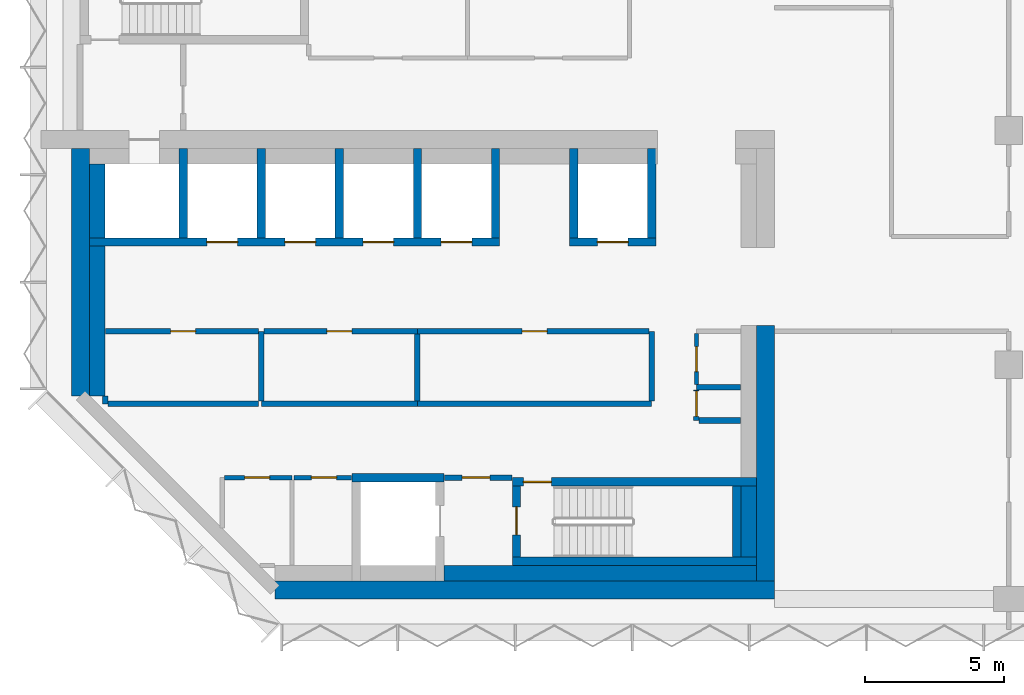
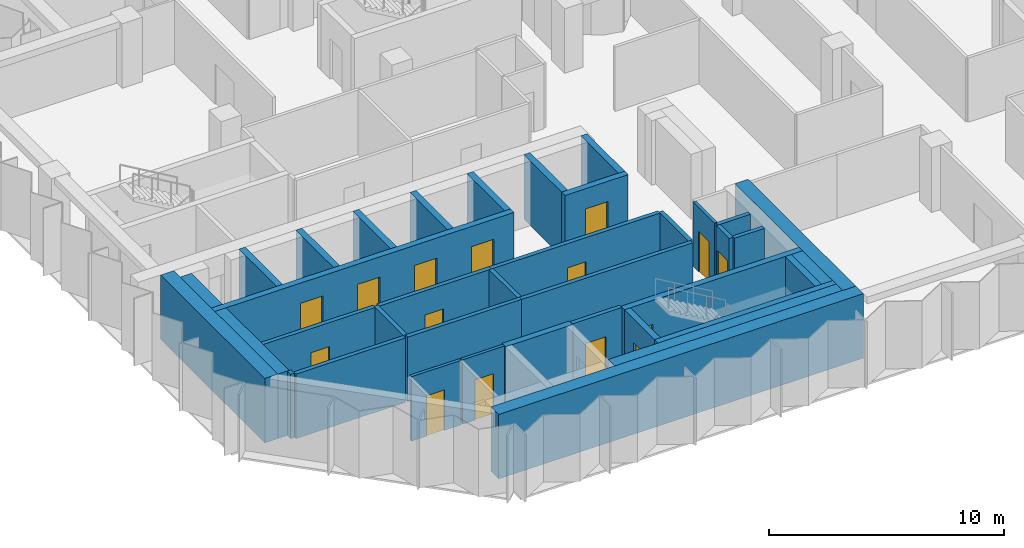
# One storey, part 5 of 10: 38 walls, 15 doors, 15 openings.
"""IFC4 building model written with IfcOpenShell, lengths in metres."""

from ifc_helpers import new_model, si_unit, direction, frame, frame_2d, origin, place, context, subcontext, project, spatial, rectangle, extrude, material, layer, layer_set, type_object, element, fill, save


model = new_model("IFC4")

# Units and contexts
model_context = context("Model", 3, precision=1e-05, world=origin(), true_north=direction((0.0, 1.0)))
body_context = subcontext(model_context, "Body", "Model", "MODEL_VIEW")
ifc_project = project(units=[si_unit("LENGTHUNIT", "METRE"), si_unit("AREAUNIT", "SQUARE_METRE"), si_unit("VOLUMEUNIT", "CUBIC_METRE"), si_unit("PLANEANGLEUNIT", "RADIAN"), si_unit("MASSUNIT", "GRAM", prefix="KILO")], contexts=[model_context])

# Site, building, storey
site_placement = place(None, origin())
site = spatial("IfcSite", under=ifc_project, at=site_placement, CompositionType="ELEMENT")
building_placement = place(site_placement, origin())
building = spatial("IfcBuilding", under=site, at=building_placement, Name="Brevane Broadcast Tower", CompositionType="ELEMENT")
storey_placement = place(building_placement, frame((0.0, 0.0, 177.60009765625)))
storey = spatial("IfcBuildingStorey", under=building, at=storey_placement, Name="L44", CompositionType="ELEMENT", Elevation=177.60009765625)

# Walls
ifc_material_1 = material(Name="Concrete C32/40", Category="concrete")
ifc_layer_1 = layer(ifc_material_1, 0.550048828125)
ifc_layer_set_1 = layer_set([ifc_layer_1], Name="Core chase wall 550 mm")
wall_type_1 = type_object("IfcWallType", Name="Core chase wall 550 mm", PredefinedType="PARTITIONING", material=ifc_layer_set_1)
wall_1_placement = place(storey_placement, frame((0.925048828125, 7.286376953125, 0.0), z_axis=(0.0, 0.0, 1.0), x_axis=(0.0, 1.0, 0.0)))
element("IfcWall", 1, at=wall_1_placement, inside=storey, type_object=wall_type_1, Name="L44 chase wall LW-1", PredefinedType="PARTITIONING", context=body_context, shape_type="SweptSolid", body=[
    extrude(rectangle(XDim=5.363525390625, YDim=0.550048828125, at=frame_2d((2.681640625, 0.0))), origin(), (0.0, 0.0, 1.0), 3.349853515625),
])
wall_2_placement = place(storey_placement, frame((0.925048828125, 12.949951171875, 0.0), z_axis=(0.0, 0.0, 1.0), x_axis=(0.0, 1.0, 0.0)))
element("IfcWall", 2, at=wall_2_placement, inside=storey, type_object=wall_type_1, Name="L44 chase wall LW-2", PredefinedType="PARTITIONING", context=body_context, shape_type="SweptSolid", body=[
    extrude(rectangle(XDim=2.650146484375, YDim=0.550048828125, at=frame_2d((1.3251953125, 0.0))), origin(), (0.0, 0.0, 1.0), 3.349853515625),
])
wall_3_placement = place(storey_placement, frame((13.35009765625, 0.925048828125, 0.0), z_axis=(0.0, 0.0, 1.0), x_axis=(1.0, 0.0, 0.0)))
element("IfcWall", 3, at=wall_3_placement, inside=storey, type_object=wall_type_1, Name="L44 chase wall LS-2-2", PredefinedType="PARTITIONING", context=body_context, shape_type="SweptSolid", body=[
    extrude(rectangle(XDim=11.199951171875, YDim=0.550048828125, at=frame_2d((5.60009765625, 0.0))), origin(), (0.0, 0.0, 1.0), 3.349853515625),
])
wall_4_placement = place(storey_placement, frame((24.27490234375, 1.5, 0.0), z_axis=(0.0, 0.0, 1.0), x_axis=(0.0, 1.0, 0.0)))
element("IfcWall", 4, at=wall_4_placement, inside=storey, type_object=wall_type_1, Name="L44 chase wall LE1-2-1", PredefinedType="PARTITIONING", context=body_context, shape_type="SweptSolid", body=[
    extrude(rectangle(XDim=2.550048828125, YDim=0.550048828125, at=frame_2d((1.27490234375, 0.0))), origin(), (0.0, 0.0, 1.0), 3.349853515625),
])

# Wall, opening, door
ifc_material_2 = material(Name="Gypsum board on steel studs", Category="steel")
ifc_layer_2 = layer(ifc_material_2, 0.14990234375)
ifc_layer_set_2 = layer_set([ifc_layer_2], Name="Core fire partition 150 mm")
wall_type_2 = type_object("IfcWallType", Name="Core fire partition 150 mm", PredefinedType="PARTITIONING", material=ifc_layer_set_2)
wall_5_placement = place(storey_placement, frame((5.47509765625, 4.35009765625, 0.0), z_axis=(0.0, 0.0, 1.0), x_axis=(1.0, 0.0, 0.0)))
wall_5 = element("IfcWall", 5, at=wall_5_placement, inside=storey, type_object=wall_type_2, Name="L44 partition wall P18", PredefinedType="PARTITIONING", context=body_context, shape_type="SweptSolid", body=[
    extrude(rectangle(XDim=2.4248046875, YDim=0.14990234375, at=frame_2d((1.21240234375, 0.0))), origin(), (0.0, 0.0, 1.0), 3.349853515625),
])
opening_1_placement = place(wall_5_placement, frame((0.72509765625, 0.0, 0.0)))
opening_1 = element("IfcOpeningElement", 6, at=opening_1_placement, cuts=wall_5, Name="Opening L44-K14", PredefinedType="OPENING", context=body_context, shape_type="SweptSolid", body=[
    extrude(rectangle(XDim=0.89990234375, YDim=2.10009765625, at=frame_2d((0.449951171875, 1.050048828125))), frame((0.0, 0.0849609375, 0.0), z_axis=(0.0, -1.0, 0.0), x_axis=(1.0, 0.0, 0.0)), (0.0, 0.0, 1.0), 0.169921875),
])
ifc_material_3 = material(Name="Timber", Category="wood")
door_type_1 = type_object("IfcDoorType", Name="Toilet door 900 x 2100", OperationType="SINGLE_SWING_LEFT", PredefinedType="DOOR", material=ifc_material_3)
door_1_placement = place(opening_1_placement, origin())
door_1 = element("IfcDoor", 7, at=door_1_placement, inside=storey, type_object=door_type_1, Name="Door L44-K14", OperationType="SINGLE_SWING_LEFT", OverallHeight=2.10009765625, OverallWidth=0.89990234375, PredefinedType="DOOR", context=body_context, shape_type="SweptSolid", body=[
    extrude(rectangle(XDim=0.89990234375, YDim=2.10009765625, at=frame_2d((0.449951171875, 1.050048828125))), frame((0.0, 0.02490234375, 0.0), z_axis=(0.0, -1.0, 0.0), x_axis=(1.0, 0.0, 0.0)), (0.0, 0.0, 1.0), 0.050048828125),
])
fill(opening_1, door_1)

wall_6_placement = place(storey_placement, frame((10.0380859375, 4.35009765625, 0.0), z_axis=(0.0, 0.0, 1.0), x_axis=(-1.0, 0.0, 0.0)))
wall_6 = element("IfcWall", 8, at=wall_6_placement, inside=storey, type_object=wall_type_2, Name="L44 partition wall P21", PredefinedType="PARTITIONING", context=body_context, shape_type="SweptSolid", body=[
    extrude(rectangle(XDim=2.06298828125, YDim=0.14990234375, at=frame_2d((1.031494140625, 0.0))), origin(), (0.0, 0.0, 1.0), 3.349853515625),
])
opening_2_placement = place(wall_6_placement, frame((0.5380859375, 0.0, 0.0)))
opening_2 = element("IfcOpeningElement", 9, at=opening_2_placement, cuts=wall_6, Name="Opening L44-K15", PredefinedType="OPENING", context=body_context, shape_type="SweptSolid", body=[
    extrude(rectangle(XDim=0.89990234375, YDim=2.10009765625, at=frame_2d((0.449951171875, 1.050048828125))), frame((0.0, 0.0849609375, 0.0), z_axis=(0.0, -1.0, 0.0), x_axis=(1.0, 0.0, 0.0)), (0.0, 0.0, 1.0), 0.169921875),
])
door_2_placement = place(opening_2_placement, origin())
door_2 = element("IfcDoor", 10, at=door_2_placement, inside=storey, type_object=door_type_1, Name="Door L44-K15", OperationType="SINGLE_SWING_RIGHT", OverallHeight=2.10009765625, OverallWidth=0.89990234375, PredefinedType="DOOR", context=body_context, shape_type="SweptSolid", body=[
    extrude(rectangle(XDim=0.89990234375, YDim=2.10009765625, at=frame_2d((0.449951171875, 1.050048828125))), frame((0.0, 0.02490234375, 0.0), z_axis=(0.0, -1.0, 0.0), x_axis=(1.0, 0.0, 0.0)), (0.0, 0.0, 1.0), 0.050048828125),
])
fill(opening_2, door_2)

wall_7_placement = place(storey_placement, frame((22.39990234375, 9.52490234375, 0.0), z_axis=(0.0, 0.0, 1.0), x_axis=(0.0, -1.0, 0.0)))
wall_7 = element("IfcWall", 11, at=wall_7_placement, inside=storey, type_object=wall_type_2, Name="L44 partition wall P36", PredefinedType="PARTITIONING", context=body_context, shape_type="SweptSolid", body=[
    extrude(rectangle(XDim=1.824951171875, YDim=0.14990234375, at=frame_2d((0.91259765625, 0.0))), origin(), (0.0, 0.0, 1.0), 3.349853515625),
])
opening_3_placement = place(wall_7_placement, frame((0.47509765625, 0.0, 0.0)))
opening_3 = element("IfcOpeningElement", 12, at=opening_3_placement, cuts=wall_7, Name="Opening L44-K18", PredefinedType="OPENING", context=body_context, shape_type="SweptSolid", body=[
    extrude(rectangle(XDim=0.89990234375, YDim=2.10009765625, at=frame_2d((0.449951171875, 1.050048828125))), frame((0.0, 0.0849609375, 0.0), z_axis=(0.0, -1.0, 0.0), x_axis=(1.0, 0.0, 0.0)), (0.0, 0.0, 1.0), 0.169921875),
])
ifc_material_4 = material(Name="Steel", Category="steel")
door_type_2 = type_object("IfcDoorType", Name="Service room door 900 x 2100", OperationType="SINGLE_SWING_LEFT", PredefinedType="DOOR", material=ifc_material_4)
door_3_placement = place(opening_3_placement, origin())
door_3 = element("IfcDoor", 13, at=door_3_placement, inside=storey, type_object=door_type_2, Name="Door L44-K18", OperationType="SINGLE_SWING_LEFT", OverallHeight=2.10009765625, OverallWidth=0.89990234375, PredefinedType="DOOR", context=body_context, shape_type="SweptSolid", body=[
    extrude(rectangle(XDim=0.89990234375, YDim=2.10009765625, at=frame_2d((0.449951171875, 1.050048828125))), frame((0.0, 0.02490234375, 0.0), z_axis=(0.0, -1.0, 0.0), x_axis=(1.0, 0.0, 0.0)), (0.0, 0.0, 1.0), 0.050048828125),
])
fill(opening_3, door_3)

ifc_layer_3 = layer(ifc_material_2, 0.199951171875)
ifc_layer_set_3 = layer_set([ifc_layer_3], Name="Core fire partition 200 mm")
wall_type_3 = type_object("IfcWallType", Name="Core fire partition 200 mm", PredefinedType="PARTITIONING", material=ifc_layer_set_3)
wall_8_placement = place(storey_placement, frame((13.362060546875, 4.35009765625, 0.0), z_axis=(0.0, 0.0, 1.0), x_axis=(1.0, 0.0, 0.0)))
wall_8 = element("IfcWall", 14, at=wall_8_placement, inside=storey, type_object=wall_type_3, Name="L44 partition wall P03", PredefinedType="PARTITIONING", context=body_context, shape_type="SweptSolid", body=[
    extrude(rectangle(XDim=2.426025390625, YDim=0.199951171875, at=frame_2d((1.212890625, 0.0))), origin(), (0.0, 0.0, 1.0), 3.349853515625),
])
opening_4_placement = place(wall_8_placement, frame((0.637939453125, 0.0, 0.0)))
opening_4 = element("IfcOpeningElement", 15, at=opening_4_placement, cuts=wall_8, Name="Opening L44-K16", PredefinedType="OPENING", context=body_context, shape_type="SweptSolid", body=[
    extrude(rectangle(XDim=1.0, YDim=2.10009765625, at=frame_2d((0.5, 1.050048828125))), frame((0.0, 0.10986328125, 0.0), z_axis=(0.0, -1.0, 0.0), x_axis=(1.0, 0.0, 0.0)), (0.0, 0.0, 1.0), 0.219970703125),
])
door_type_3 = type_object("IfcDoorType", Name="Stair door 1000 x 2100", OperationType="SINGLE_SWING_LEFT", PredefinedType="DOOR", material=ifc_material_4)
door_4_placement = place(opening_4_placement, origin())
door_4 = element("IfcDoor", 16, at=door_4_placement, inside=storey, type_object=door_type_3, Name="Door L44-K16", OperationType="SINGLE_SWING_LEFT", OverallHeight=2.10009765625, OverallWidth=1.0, PredefinedType="DOOR", context=body_context, shape_type="SweptSolid", body=[
    extrude(rectangle(XDim=1.0, YDim=2.10009765625, at=frame_2d((0.5, 1.050048828125))), frame((0.0, 0.02490234375, 0.0), z_axis=(0.0, -1.0, 0.0), x_axis=(1.0, 0.0, 0.0)), (0.0, 0.0, 1.0), 0.050048828125),
])
fill(opening_4, door_4)

# Walls
wall_9_placement = place(storey_placement, frame((6.800048828125, 7.0, 0.0), z_axis=(0.0, 0.0, 1.0), x_axis=(1.0, 0.0, 0.0)))
element("IfcWall", 17, at=wall_9_placement, inside=storey, type_object=wall_type_3, Name="L44 partition wall P04", PredefinedType="PARTITIONING", context=body_context, shape_type="SweptSolid", body=[
    extrude(rectangle(XDim=5.599853515625, YDim=0.199951171875, at=frame_2d((2.7998046875, 0.0))), origin(), (0.0, 0.0, 1.0), 3.349853515625),
])
wall_10_placement = place(storey_placement, frame((6.800048828125, 9.60009765625, 0.0), z_axis=(0.0, 0.0, 1.0), x_axis=(0.0, -1.0, 0.0)))
element("IfcWall", 18, at=wall_10_placement, inside=storey, type_object=wall_type_3, Name="L44 partition wall P05", PredefinedType="PARTITIONING", context=body_context, shape_type="SweptSolid", body=[
    extrude(rectangle(XDim=2.5, YDim=0.199951171875, at=frame_2d((1.25, 0.0))), origin(), (0.0, 0.0, 1.0), 3.349853515625),
])

# Wall, opening, door
wall_11_placement = place(storey_placement, frame((6.699951171875, 9.60009765625, 0.0), z_axis=(0.0, 0.0, 1.0), x_axis=(-1.0, 0.0, 0.0)))
wall_11 = element("IfcWall", 19, at=wall_11_placement, inside=storey, type_object=wall_type_3, Name="L44 partition wall P06", PredefinedType="PARTITIONING", context=body_context, shape_type="SweptSolid", body=[
    extrude(rectangle(XDim=5.488037109375, YDim=0.199951171875, at=frame_2d((2.744140625, 0.0))), origin(), (0.0, 0.0, 1.0), 3.349853515625),
])
opening_5_placement = place(wall_11_placement, frame((2.25, 0.0, 0.0)))
opening_5 = element("IfcOpeningElement", 20, at=opening_5_placement, cuts=wall_11, Name="Opening L44-K19", PredefinedType="OPENING", context=body_context, shape_type="SweptSolid", body=[
    extrude(rectangle(XDim=0.89990234375, YDim=2.10009765625, at=frame_2d((0.449951171875, 1.050048828125))), frame((0.0, 0.10986328125, 0.0), z_axis=(0.0, -1.0, 0.0), x_axis=(1.0, 0.0, 0.0)), (0.0, 0.0, 1.0), 0.219970703125),
])
door_5_placement = place(opening_5_placement, origin())
door_5 = element("IfcDoor", 21, at=door_5_placement, inside=storey, type_object=door_type_2, Name="Door L44-K19", OperationType="SINGLE_SWING_RIGHT", OverallHeight=2.10009765625, OverallWidth=0.89990234375, PredefinedType="DOOR", context=body_context, shape_type="SweptSolid", body=[
    extrude(rectangle(XDim=0.89990234375, YDim=2.10009765625, at=frame_2d((0.449951171875, 1.050048828125))), frame((0.0, 0.02490234375, 0.0), z_axis=(0.0, -1.0, 0.0), x_axis=(1.0, 0.0, 0.0)), (0.0, 0.0, 1.0), 0.050048828125),
])
fill(opening_5, door_5)

# Walls
wall_12_placement = place(storey_placement, frame((1.199951171875, 7.2744140625, 0.0), z_axis=(0.0, 0.0, 1.0), x_axis=(0.0, -1.0, 0.0)))
element("IfcWall", 22, at=wall_12_placement, inside=storey, type_object=wall_type_3, Name="L44 partition wall P07", PredefinedType="PARTITIONING", context=body_context, shape_type="SweptSolid", body=[
    extrude(rectangle(XDim=0.2744140625, YDim=0.199951171875, at=frame_2d((0.13720703125, 0.0))), origin(), (0.0, 0.0, 1.0), 3.349853515625),
])
wall_13_placement = place(storey_placement, frame((1.300048828125, 7.0, 0.0), z_axis=(0.0, 0.0, 1.0), x_axis=(1.0, 0.0, 0.0)))
element("IfcWall", 23, at=wall_13_placement, inside=storey, type_object=wall_type_3, Name="L44 partition wall P08", PredefinedType="PARTITIONING", context=body_context, shape_type="SweptSolid", body=[
    extrude(rectangle(XDim=5.39990234375, YDim=0.199951171875, at=frame_2d((2.699951171875, 0.0))), origin(), (0.0, 0.0, 1.0), 3.349853515625),
])

# Wall, opening, door
wall_14_placement = place(storey_placement, frame((12.39990234375, 9.60009765625, 0.0), z_axis=(0.0, 0.0, 1.0), x_axis=(-1.0, 0.0, 0.0)))
wall_14 = element("IfcWall", 24, at=wall_14_placement, inside=storey, type_object=wall_type_3, Name="L44 partition wall P09", PredefinedType="PARTITIONING", context=body_context, shape_type="SweptSolid", body=[
    extrude(rectangle(XDim=5.5, YDim=0.199951171875, at=frame_2d((2.75, 0.0))), origin(), (0.0, 0.0, 1.0), 3.349853515625),
])
opening_6_placement = place(wall_14_placement, frame((2.35009765625, 0.0, 0.0)))
opening_6 = element("IfcOpeningElement", 25, at=opening_6_placement, cuts=wall_14, Name="Opening L44-K20", PredefinedType="OPENING", context=body_context, shape_type="SweptSolid", body=[
    extrude(rectangle(XDim=0.89990234375, YDim=2.10009765625, at=frame_2d((0.449951171875, 1.050048828125))), frame((0.0, 0.10986328125, 0.0), z_axis=(0.0, -1.0, 0.0), x_axis=(1.0, 0.0, 0.0)), (0.0, 0.0, 1.0), 0.219970703125),
])
door_6_placement = place(opening_6_placement, origin())
door_6 = element("IfcDoor", 26, at=door_6_placement, inside=storey, type_object=door_type_2, Name="Door L44-K20", OperationType="SINGLE_SWING_LEFT", OverallHeight=2.10009765625, OverallWidth=0.89990234375, PredefinedType="DOOR", context=body_context, shape_type="SweptSolid", body=[
    extrude(rectangle(XDim=0.89990234375, YDim=2.10009765625, at=frame_2d((0.449951171875, 1.050048828125))), frame((0.0, 0.02490234375, 0.0), z_axis=(0.0, -1.0, 0.0), x_axis=(1.0, 0.0, 0.0)), (0.0, 0.0, 1.0), 0.050048828125),
])
fill(opening_6, door_6)

# Walls
wall_15_placement = place(storey_placement, frame((12.39990234375, 7.0, 0.0), z_axis=(0.0, 0.0, 1.0), x_axis=(1.0, 0.0, 0.0)))
element("IfcWall", 27, at=wall_15_placement, inside=storey, type_object=wall_type_3, Name="L44 partition wall P10", PredefinedType="PARTITIONING", context=body_context, shape_type="SweptSolid", body=[
    extrude(rectangle(XDim=8.400146484375, YDim=0.199951171875, at=frame_2d((4.2001953125, 0.0))), origin(), (0.0, 0.0, 1.0), 3.349853515625),
])
wall_16_placement = place(storey_placement, frame((20.800048828125, 7.10009765625, 0.0), z_axis=(0.0, 0.0, 1.0), x_axis=(0.0, 1.0, 0.0)))
element("IfcWall", 28, at=wall_16_placement, inside=storey, type_object=wall_type_3, Name="L44 partition wall P11", PredefinedType="PARTITIONING", context=body_context, shape_type="SweptSolid", body=[
    extrude(rectangle(XDim=2.5, YDim=0.199951171875, at=frame_2d((1.25, 0.0))), origin(), (0.0, 0.0, 1.0), 3.349853515625),
])

# Wall, opening, door
wall_17_placement = place(storey_placement, frame((20.699951171875, 9.60009765625, 0.0), z_axis=(0.0, 0.0, 1.0), x_axis=(-1.0, 0.0, 0.0)))
wall_17 = element("IfcWall", 29, at=wall_17_placement, inside=storey, type_object=wall_type_3, Name="L44 partition wall P12", PredefinedType="PARTITIONING", context=body_context, shape_type="SweptSolid", body=[
    extrude(rectangle(XDim=8.300048828125, YDim=0.199951171875, at=frame_2d((4.14990234375, 0.0))), origin(), (0.0, 0.0, 1.0), 3.349853515625),
])
opening_7_placement = place(wall_17_placement, frame((3.64990234375, 0.0, 0.0)))
opening_7 = element("IfcOpeningElement", 30, at=opening_7_placement, cuts=wall_17, Name="Opening L44-K21", PredefinedType="OPENING", context=body_context, shape_type="SweptSolid", body=[
    extrude(rectangle(XDim=0.89990234375, YDim=2.10009765625, at=frame_2d((0.449951171875, 1.050048828125))), frame((0.0, 0.10986328125, 0.0), z_axis=(0.0, -1.0, 0.0), x_axis=(1.0, 0.0, 0.0)), (0.0, 0.0, 1.0), 0.219970703125),
])
door_7_placement = place(opening_7_placement, origin())
door_7 = element("IfcDoor", 31, at=door_7_placement, inside=storey, type_object=door_type_2, Name="Door L44-K21", OperationType="SINGLE_SWING_RIGHT", OverallHeight=2.10009765625, OverallWidth=0.89990234375, PredefinedType="DOOR", context=body_context, shape_type="SweptSolid", body=[
    extrude(rectangle(XDim=0.89990234375, YDim=2.10009765625, at=frame_2d((0.449951171875, 1.050048828125))), frame((0.0, 0.02490234375, 0.0), z_axis=(0.0, -1.0, 0.0), x_axis=(1.0, 0.0, 0.0)), (0.0, 0.0, 1.0), 0.050048828125),
])
fill(opening_7, door_7)

# Walls
wall_18_placement = place(storey_placement, frame((12.39990234375, 9.5, 0.0), z_axis=(0.0, 0.0, 1.0), x_axis=(0.0, -1.0, 0.0)))
element("IfcWall", 32, at=wall_18_placement, inside=storey, type_object=wall_type_3, Name="L44 partition wall P13", PredefinedType="PARTITIONING", context=body_context, shape_type="SweptSolid", body=[
    extrude(rectangle(XDim=2.39990234375, YDim=0.199951171875, at=frame_2d((1.199951171875, 0.0))), origin(), (0.0, 0.0, 1.0), 3.349853515625),
])
wall_19_placement = place(storey_placement, frame((23.988037109375, 7.60009765625, 0.0), z_axis=(0.0, 0.0, 1.0), x_axis=(-1.0, 0.0, 0.0)))
element("IfcWall", 33, at=wall_19_placement, inside=storey, type_object=wall_type_3, Name="L44 partition wall P14", PredefinedType="PARTITIONING", context=body_context, shape_type="SweptSolid", body=[
    extrude(rectangle(XDim=1.588134765625, YDim=0.199951171875, at=frame_2d((0.7939453125, 0.0))), origin(), (0.0, 0.0, 1.0), 3.349853515625),
])

# Wall, opening, door
wall_20_placement = place(storey_placement, frame((22.39990234375, 7.5, 0.0), z_axis=(0.0, 0.0, 1.0), x_axis=(0.0, -1.0, 0.0)))
wall_20 = element("IfcWall", 34, at=wall_20_placement, inside=storey, type_object=wall_type_3, Name="L44 partition wall P15", PredefinedType="PARTITIONING", context=body_context, shape_type="SweptSolid", body=[
    extrude(rectangle(XDim=1.10009765625, YDim=0.199951171875, at=frame_2d((0.550048828125, 0.0))), origin(), (0.0, 0.0, 1.0), 3.349853515625),
])
opening_8_placement = place(wall_20_placement, frame((0.050048828125, 0.0, 0.0)))
opening_8 = element("IfcOpeningElement", 35, at=opening_8_placement, cuts=wall_20, Name="Opening L44-K17", PredefinedType="OPENING", context=body_context, shape_type="SweptSolid", body=[
    extrude(rectangle(XDim=0.89990234375, YDim=2.10009765625, at=frame_2d((0.449951171875, 1.050048828125))), frame((0.0, 0.10986328125, 0.0), z_axis=(0.0, -1.0, 0.0), x_axis=(1.0, 0.0, 0.0)), (0.0, 0.0, 1.0), 0.219970703125),
])
door_8_placement = place(opening_8_placement, origin())
door_8 = element("IfcDoor", 36, at=door_8_placement, inside=storey, type_object=door_type_2, Name="Door L44-K17", OperationType="SINGLE_SWING_RIGHT", OverallHeight=2.10009765625, OverallWidth=0.89990234375, PredefinedType="DOOR", context=body_context, shape_type="SweptSolid", body=[
    extrude(rectangle(XDim=0.89990234375, YDim=2.10009765625, at=frame_2d((0.449951171875, 1.050048828125))), frame((0.0, 0.02490234375, 0.0), z_axis=(0.0, -1.0, 0.0), x_axis=(1.0, 0.0, 0.0)), (0.0, 0.0, 1.0), 0.050048828125),
])
fill(opening_8, door_8)

# Wall
wall_21_placement = place(storey_placement, frame((22.5, 6.39990234375, 0.0), z_axis=(0.0, 0.0, 1.0), x_axis=(1.0, 0.0, 0.0)))
element("IfcWall", 37, at=wall_21_placement, inside=storey, type_object=wall_type_3, Name="L44 partition wall P16", PredefinedType="PARTITIONING", context=body_context, shape_type="SweptSolid", body=[
    extrude(rectangle(XDim=1.488037109375, YDim=0.199951171875, at=frame_2d((0.744140625, 0.0))), origin(), (0.0, 0.0, 1.0), 3.349853515625),
])

# Wall, openings, doors
ifc_material_5 = material(Name="Concrete C60/75", Category="concrete")
ifc_layer_4 = layer(ifc_material_5, 0.300048828125)
ifc_layer_set_4 = layer_set([ifc_layer_4], Name="Core wall 300 mm C60/75")
wall_type_4 = type_object("IfcWallType", Name="Core wall 300 mm C60/75", PredefinedType="SHEAR", material=ifc_layer_set_4)
wall_22_placement = place(storey_placement, frame((0.64990234375, 12.800048828125, 0.0), z_axis=(0.0, 0.0, 1.0), x_axis=(1.0, 0.0, 0.0)))
wall_22 = element("IfcWall", 38, at=wall_22_placement, inside=storey, type_object=wall_type_4, Name="L44 shaft wall SH-N012-front", PredefinedType="SHEAR", context=body_context, shape_type="SweptSolid", body=[
    extrude(rectangle(XDim=14.7001953125, YDim=0.300048828125, at=frame_2d((7.35009765625, 0.0))), origin(), (0.0, 0.0, 1.0), 3.349853515625),
])
opening_9_placement = place(wall_22_placement, frame((4.199951171875, 0.0, 0.0)))
opening_9 = element("IfcOpeningElement", 39, at=opening_9_placement, cuts=wall_22, Name="Opening LD", PredefinedType="OPENING", context=body_context, shape_type="SweptSolid", body=[
    extrude(rectangle(XDim=1.10009765625, YDim=2.300048828125, at=frame_2d((0.550048828125, 1.14990234375))), frame((0.0, 0.159912109375, 0.0), z_axis=(0.0, -1.0, 0.0), x_axis=(1.0, 0.0, 0.0)), (0.0, 0.0, 1.0), 0.320068359375),
])
opening_10_placement = place(wall_22_placement, frame((7.0, 0.0, 0.0)))
opening_10 = element("IfcOpeningElement", 40, at=opening_10_placement, cuts=wall_22, Name="Opening LD", PredefinedType="OPENING", context=body_context, shape_type="SweptSolid", body=[
    extrude(rectangle(XDim=1.10009765625, YDim=2.300048828125, at=frame_2d((0.550048828125, 1.14990234375))), frame((0.0, 0.159912109375, 0.0), z_axis=(0.0, -1.0, 0.0), x_axis=(1.0, 0.0, 0.0)), (0.0, 0.0, 1.0), 0.320068359375),
])
opening_11_placement = place(wall_22_placement, frame((9.800048828125, 0.0, 0.0)))
opening_11 = element("IfcOpeningElement", 41, at=opening_11_placement, cuts=wall_22, Name="Opening LD", PredefinedType="OPENING", context=body_context, shape_type="SweptSolid", body=[
    extrude(rectangle(XDim=1.10009765625, YDim=2.300048828125, at=frame_2d((0.550048828125, 1.14990234375))), frame((0.0, 0.159912109375, 0.0), z_axis=(0.0, -1.0, 0.0), x_axis=(1.0, 0.0, 0.0)), (0.0, 0.0, 1.0), 0.320068359375),
])
opening_12_placement = place(wall_22_placement, frame((12.60009765625, 0.0, 0.0)))
opening_12 = element("IfcOpeningElement", 42, at=opening_12_placement, cuts=wall_22, Name="Opening LD", PredefinedType="OPENING", context=body_context, shape_type="SweptSolid", body=[
    extrude(rectangle(XDim=1.10009765625, YDim=2.300048828125, at=frame_2d((0.550048828125, 1.14990234375))), frame((0.0, 0.159912109375, 0.0), z_axis=(0.0, -1.0, 0.0), x_axis=(1.0, 0.0, 0.0)), (0.0, 0.0, 1.0), 0.320068359375),
])
ifc_material_6 = material(Name="Stainless steel", Category="steel")
door_type_4 = type_object("IfcDoorType", Name="Lift landing door", OperationType="SLIDING_TO_LEFT", PredefinedType="DOOR", material=ifc_material_6)
door_9_placement = place(opening_9_placement, origin())
door_9 = element("IfcDoor", 43, at=door_9_placement, inside=storey, type_object=door_type_4, Name="Landing door HR1 L44", OperationType="SLIDING_TO_LEFT", OverallHeight=2.300048828125, OverallWidth=1.10009765625, PredefinedType="DOOR", context=body_context, shape_type="SweptSolid", body=[
    extrude(rectangle(XDim=1.10009765625, YDim=2.300048828125, at=frame_2d((0.550048828125, 1.14990234375))), frame((0.0, 0.02490234375, 0.0), z_axis=(0.0, -1.0, 0.0), x_axis=(1.0, 0.0, 0.0)), (0.0, 0.0, 1.0), 0.050048828125),
])
fill(opening_9, door_9)
door_10_placement = place(opening_10_placement, origin())
door_10 = element("IfcDoor", 44, at=door_10_placement, inside=storey, type_object=door_type_4, Name="Landing door HR2 L44", OperationType="SLIDING_TO_LEFT", OverallHeight=2.300048828125, OverallWidth=1.10009765625, PredefinedType="DOOR", context=body_context, shape_type="SweptSolid", body=[
    extrude(rectangle(XDim=1.10009765625, YDim=2.300048828125, at=frame_2d((0.550048828125, 1.14990234375))), frame((0.0, 0.02490234375, 0.0), z_axis=(0.0, -1.0, 0.0), x_axis=(1.0, 0.0, 0.0)), (0.0, 0.0, 1.0), 0.050048828125),
])
fill(opening_10, door_10)
door_11_placement = place(opening_11_placement, origin())
door_11 = element("IfcDoor", 45, at=door_11_placement, inside=storey, type_object=door_type_4, Name="Landing door HR3 L44", OperationType="SLIDING_TO_LEFT", OverallHeight=2.300048828125, OverallWidth=1.10009765625, PredefinedType="DOOR", context=body_context, shape_type="SweptSolid", body=[
    extrude(rectangle(XDim=1.10009765625, YDim=2.300048828125, at=frame_2d((0.550048828125, 1.14990234375))), frame((0.0, 0.02490234375, 0.0), z_axis=(0.0, -1.0, 0.0), x_axis=(1.0, 0.0, 0.0)), (0.0, 0.0, 1.0), 0.050048828125),
])
fill(opening_11, door_11)
door_12_placement = place(opening_12_placement, origin())
door_12 = element("IfcDoor", 46, at=door_12_placement, inside=storey, type_object=door_type_4, Name="Landing door HR4 L44", OperationType="SLIDING_TO_LEFT", OverallHeight=2.300048828125, OverallWidth=1.10009765625, PredefinedType="DOOR", context=body_context, shape_type="SweptSolid", body=[
    extrude(rectangle(XDim=1.10009765625, YDim=2.300048828125, at=frame_2d((0.550048828125, 1.14990234375))), frame((0.0, 0.02490234375, 0.0), z_axis=(0.0, -1.0, 0.0), x_axis=(1.0, 0.0, 0.0)), (0.0, 0.0, 1.0), 0.050048828125),
])
fill(opening_12, door_12)

# Walls
for number, where, z_axis, x_axis, name in (
    (47, (4.0, 12.949951171875, 0.0), (0.0, 0.0, 1.0), (0.0, 1.0, 0.0), "L44 shaft wall SH-N-P040"),
    (48, (6.800048828125, 12.949951171875, 0.0), (0.0, 0.0, 1.0), (0.0, 1.0, 0.0), "L44 shaft wall SH-N-P068"),
    (49, (9.60009765625, 12.949951171875, 0.0), (0.0, 0.0, 1.0), (0.0, 1.0, 0.0), "L44 shaft wall SH-N-P096"),
    (50, (12.39990234375, 12.949951171875, 0.0), (0.0, 0.0, 1.0), (0.0, 1.0, 0.0), "L44 shaft wall SH-N-P124"),
    (51, (15.199951171875, 12.949951171875, 0.0), (0.0, 0.0, 1.0), (0.0, 1.0, 0.0), "L44 shaft wall SH-N-P152"),
):
    element("IfcWall", number, at=place(storey_placement, frame(where, z_axis=z_axis, x_axis=x_axis)), inside=storey, type_object=wall_type_4, Name=name, PredefinedType="SHEAR", context=body_context, shape_type="SweptSolid", body=[
        extrude(rectangle(XDim=3.199951171875, YDim=0.300048828125, at=frame_2d((1.60009765625, 0.0))), origin(), (0.0, 0.0, 1.0), 3.349853515625),
    ])

# Wall, opening, door
wall_23_placement = place(storey_placement, frame((17.85009765625, 12.800048828125, 0.0), z_axis=(0.0, 0.0, 1.0), x_axis=(1.0, 0.0, 0.0)))
wall_23 = element("IfcWall", 52, at=wall_23_placement, inside=storey, type_object=wall_type_4, Name="L44 shaft wall SH-N180-front", PredefinedType="SHEAR", context=body_context, shape_type="SweptSolid", body=[
    extrude(rectangle(XDim=3.099853515625, YDim=0.300048828125, at=frame_2d((1.5498046875, 0.0))), origin(), (0.0, 0.0, 1.0), 3.349853515625),
])
opening_13_placement = place(wall_23_placement, frame((1.0, 0.0, 0.0)))
opening_13 = element("IfcOpeningElement", 53, at=opening_13_placement, cuts=wall_23, Name="Opening LD", PredefinedType="OPENING", context=body_context, shape_type="SweptSolid", body=[
    extrude(rectangle(XDim=1.10009765625, YDim=2.300048828125, at=frame_2d((0.550048828125, 1.14990234375))), frame((0.0, 0.159912109375, 0.0), z_axis=(0.0, -1.0, 0.0), x_axis=(1.0, 0.0, 0.0)), (0.0, 0.0, 1.0), 0.320068359375),
])
door_13_placement = place(opening_13_placement, origin())
door_13 = element("IfcDoor", 54, at=door_13_placement, inside=storey, type_object=door_type_4, Name="Landing door SL1 L44", OperationType="SLIDING_TO_LEFT", OverallHeight=2.300048828125, OverallWidth=1.10009765625, PredefinedType="DOOR", context=body_context, shape_type="SweptSolid", body=[
    extrude(rectangle(XDim=1.10009765625, YDim=2.300048828125, at=frame_2d((0.550048828125, 1.14990234375))), frame((0.0, 0.02490234375, 0.0), z_axis=(0.0, -1.0, 0.0), x_axis=(1.0, 0.0, 0.0)), (0.0, 0.0, 1.0), 0.050048828125),
])
fill(opening_13, door_13)

# Walls
for number, where, z_axis, x_axis, name in (
    (55, (18.0, 12.949951171875, 0.0), (0.0, 0.0, 1.0), (0.0, 1.0, 0.0), "L44 shaft wall SH-N-P180"),
    (56, (20.800048828125, 12.949951171875, 0.0), (0.0, 0.0, 1.0), (0.0, 1.0, 0.0), "L44 shaft wall SH-N-P208"),
):
    element("IfcWall", number, at=place(storey_placement, frame(where, z_axis=z_axis, x_axis=x_axis)), inside=storey, type_object=wall_type_4, Name=name, PredefinedType="SHEAR", context=body_context, shape_type="SweptSolid", body=[
        extrude(rectangle(XDim=3.199951171875, YDim=0.300048828125, at=frame_2d((1.60009765625, 0.0))), origin(), (0.0, 0.0, 1.0), 3.349853515625),
    ])
wall_24_placement = place(storey_placement, frame((10.050048828125, 4.35009765625, 0.0), z_axis=(0.0, 0.0, 1.0), x_axis=(1.0, 0.0, 0.0)))
element("IfcWall", 57, at=wall_24_placement, inside=storey, type_object=wall_type_4, Name="L44 shaft wall FF2-N", PredefinedType="SHEAR", context=body_context, shape_type="SweptSolid", body=[
    extrude(rectangle(XDim=3.300048828125, YDim=0.300048828125, at=frame_2d((1.64990234375, 0.0))), origin(), (0.0, 0.0, 1.0), 3.349853515625),
])
wall_25_placement = place(storey_placement, frame((15.800048828125, 1.35009765625, 0.0), z_axis=(0.0, 0.0, 1.0), x_axis=(1.0, 0.0, 0.0)))
element("IfcWall", 58, at=wall_25_placement, inside=storey, type_object=wall_type_4, Name="L44 stair wall ST-2-S", PredefinedType="SHEAR", context=body_context, shape_type="SweptSolid", body=[
    extrude(rectangle(XDim=8.75, YDim=0.300048828125, at=frame_2d((4.375, 0.0))), origin(), (0.0, 0.0, 1.0), 3.349853515625),
])

# Wall, opening, door
wall_26_placement = place(storey_placement, frame((15.800048828125, 4.199951171875, 0.0), z_axis=(0.0, 0.0, 1.0), x_axis=(1.0, 0.0, 0.0)))
wall_26 = element("IfcWall", 59, at=wall_26_placement, inside=storey, type_object=wall_type_4, Name="L44 stair wall ST-2-N", PredefinedType="SHEAR", context=body_context, shape_type="SweptSolid", body=[
    extrude(rectangle(XDim=8.75, YDim=0.300048828125, at=frame_2d((4.375, 0.0))), origin(), (0.0, 0.0, 1.0), 3.349853515625),
])
opening_14_placement = place(wall_26_placement, frame((0.39990234375, 0.0, 0.0)))
opening_14 = element("IfcOpeningElement", 60, at=opening_14_placement, cuts=wall_26, Name="Opening L44-K11", PredefinedType="OPENING", context=body_context, shape_type="SweptSolid", body=[
    extrude(rectangle(XDim=1.0, YDim=2.10009765625, at=frame_2d((0.5, 1.050048828125))), frame((0.0, 0.159912109375, 0.0), z_axis=(0.0, -1.0, 0.0), x_axis=(1.0, 0.0, 0.0)), (0.0, 0.0, 1.0), 0.320068359375),
])
door_14_placement = place(opening_14_placement, origin())
door_14 = element("IfcDoor", 61, at=door_14_placement, inside=storey, type_object=door_type_3, Name="Door L44-K11", OperationType="SINGLE_SWING_RIGHT", OverallHeight=2.10009765625, OverallWidth=1.0, PredefinedType="DOOR", context=body_context, shape_type="SweptSolid", body=[
    extrude(rectangle(XDim=1.0, YDim=2.10009765625, at=frame_2d((0.5, 1.050048828125))), frame((0.0, 0.02490234375, 0.0), z_axis=(0.0, -1.0, 0.0), x_axis=(1.0, 0.0, 0.0)), (0.0, 0.0, 1.0), 0.050048828125),
])
fill(opening_14, door_14)

wall_27_placement = place(storey_placement, frame((15.949951171875, 1.5, 0.0), z_axis=(0.0, 0.0, 1.0), x_axis=(0.0, 1.0, 0.0)))
wall_27 = element("IfcWall", 62, at=wall_27_placement, inside=storey, type_object=wall_type_4, Name="L44 stair wall ST-2-W", PredefinedType="SHEAR", context=body_context, shape_type="SweptSolid", body=[
    extrude(rectangle(XDim=2.550048828125, YDim=0.300048828125, at=frame_2d((1.27490234375, 0.0))), origin(), (0.0, 0.0, 1.0), 3.349853515625),
])
opening_15_placement = place(wall_27_placement, frame((0.800048828125, 0.0, 0.0)))
opening_15 = element("IfcOpeningElement", 63, at=opening_15_placement, cuts=wall_27, Name="Opening L44-K10", PredefinedType="OPENING", context=body_context, shape_type="SweptSolid", body=[
    extrude(rectangle(XDim=1.0, YDim=2.10009765625, at=frame_2d((0.5, 1.050048828125))), frame((0.0, 0.159912109375, 0.0), z_axis=(0.0, -1.0, 0.0), x_axis=(1.0, 0.0, 0.0)), (0.0, 0.0, 1.0), 0.320068359375),
])
door_15_placement = place(opening_15_placement, origin())
door_15 = element("IfcDoor", 64, at=door_15_placement, inside=storey, type_object=door_type_3, Name="Door L44-K10", OperationType="SINGLE_SWING_LEFT", OverallHeight=2.10009765625, OverallWidth=1.0, PredefinedType="DOOR", context=body_context, shape_type="SweptSolid", body=[
    extrude(rectangle(XDim=1.0, YDim=2.10009765625, at=frame_2d((0.5, 1.050048828125))), frame((0.0, 0.02490234375, 0.0), z_axis=(0.0, -1.0, 0.0), x_axis=(1.0, 0.0, 0.0)), (0.0, 0.0, 1.0), 0.050048828125),
])
fill(opening_15, door_15)

# Walls
wall_28_placement = place(storey_placement, frame((23.85009765625, 1.5, 0.0), z_axis=(0.0, 0.0, 1.0), x_axis=(0.0, 1.0, 0.0)))
element("IfcWall", 65, at=wall_28_placement, inside=storey, type_object=wall_type_4, Name="L44 stair wall ST-2-E", PredefinedType="SHEAR", context=body_context, shape_type="SweptSolid", body=[
    extrude(rectangle(XDim=2.550048828125, YDim=0.300048828125, at=frame_2d((1.27490234375, 0.0))), origin(), (0.0, 0.0, 1.0), 3.349853515625),
])
ifc_layer_5 = layer(ifc_material_5, 0.64990234375)
ifc_layer_set_5 = layer_set([ifc_layer_5], Name="Core wall 650 mm C60/75")
wall_type_5 = type_object("IfcWallType", Name="Core wall 650 mm C60/75", PredefinedType="SHEAR", material=ifc_layer_set_5)
wall_29_placement = place(storey_placement, frame((7.286376953125, 0.324951171875, 0.0), z_axis=(0.0, 0.0, 1.0), x_axis=(1.0, 0.0, 0.0)))
element("IfcWall", 66, at=wall_29_placement, inside=storey, type_object=wall_type_5, Name="L44 outer wall WS", PredefinedType="SHEAR", context=body_context, shape_type="SweptSolid", body=[
    extrude(rectangle(XDim=17.91357421875, YDim=0.64990234375, at=frame_2d((8.956787109375, 0.0))), origin(), (0.0, 0.0, 1.0), 3.349853515625),
])
wall_30_placement = place(storey_placement, frame((0.324951171875, 7.286376953125, 0.0), z_axis=(0.0, 0.0, 1.0), x_axis=(0.0, 1.0, 0.0)))
element("IfcWall", 67, at=wall_30_placement, inside=storey, type_object=wall_type_5, Name="L44 outer wall WW", PredefinedType="SHEAR", context=body_context, shape_type="SweptSolid", body=[
    extrude(rectangle(XDim=8.863525390625, YDim=0.64990234375, at=frame_2d((4.431640625, 0.0))), origin(), (0.0, 0.0, 1.0), 3.349853515625),
])
wall_31_placement = place(storey_placement, frame((24.875, 0.64990234375, 0.0), z_axis=(0.0, 0.0, 1.0), x_axis=(0.0, 1.0, 0.0)))
element("IfcWall", 68, at=wall_31_placement, inside=storey, type_object=wall_type_5, Name="L44 outer wall WE1", PredefinedType="SHEAR", context=body_context, shape_type="SweptSolid", body=[
    extrude(rectangle(XDim=9.150146484375, YDim=0.64990234375, at=frame_2d((4.5751953125, 0.0))), origin(), (0.0, 0.0, 1.0), 3.349853515625),
])

save(model, "model.ifc")
